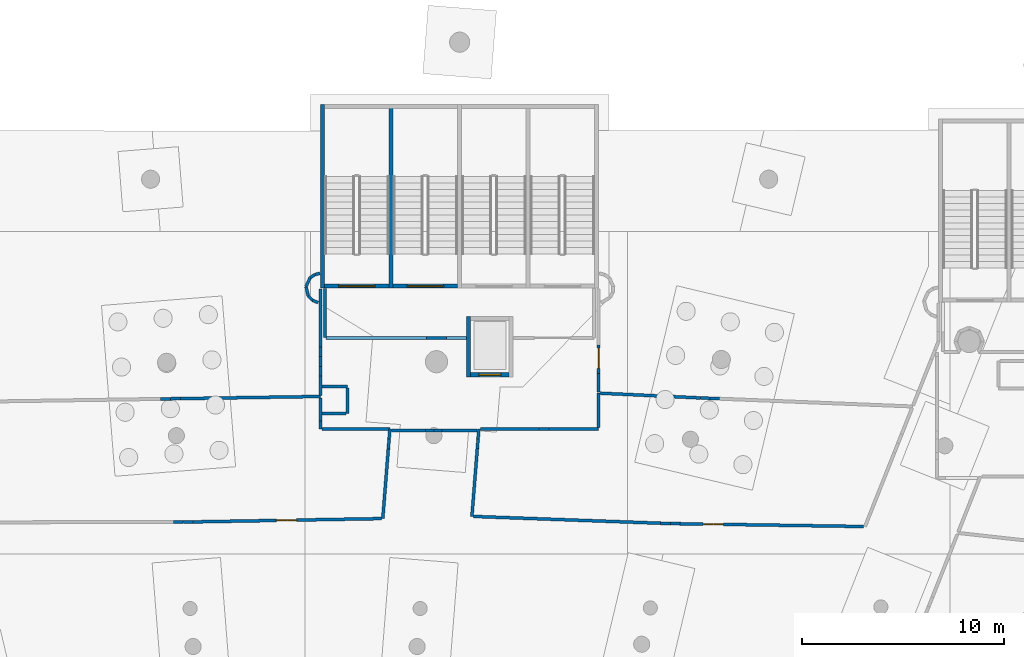
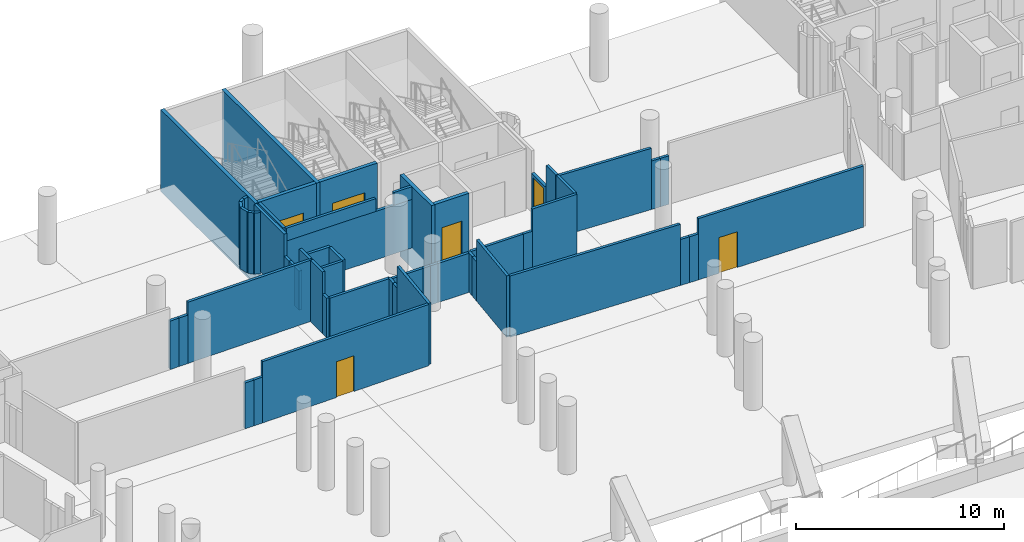
# One storey, part 88 of 142: 56 walls, 6 doors, 6 openings.
"""IFC4 building model written with IfcOpenShell, lengths in metres."""

from ifc_helpers import new_model, si_unit, direction, frame, frame_2d, origin, place, context, subcontext, project, spatial, rectangle, extrude, material, layer, layer_set, type_object, element, fill, save


model = new_model("IFC4")

# Units and contexts
model_context = context("Model", 3, precision=1e-05, world=origin(), true_north=direction((0.0, 1.0)))
body_context = subcontext(model_context, "Body", "Model", "MODEL_VIEW")
ifc_project = project(units=[si_unit("LENGTHUNIT", "METRE"), si_unit("AREAUNIT", "SQUARE_METRE"), si_unit("VOLUMEUNIT", "CUBIC_METRE"), si_unit("PLANEANGLEUNIT", "RADIAN"), si_unit("MASSUNIT", "GRAM", prefix="KILO")], contexts=[model_context])

# Site, building, storey
site_placement = place(None, origin())
site = spatial("IfcSite", under=ifc_project, at=site_placement, CompositionType="ELEMENT")
building_placement = place(site_placement, origin())
building = spatial("IfcBuilding", under=site, at=building_placement, Name="Meseta Stadium", CompositionType="ELEMENT")
storey_placement = place(building_placement, frame((0.0, 0.0, -4.0)))
storey = spatial("IfcBuildingStorey", under=building, at=storey_placement, Name="B1", CompositionType="ELEMENT", Elevation=-4.0)

# Walls
ifc_material_1 = material(Name="Concrete C40/50", Category="concrete")
ifc_layer_1 = layer(ifc_material_1, 0.199951171875)
ifc_layer_set_1 = layer_set([ifc_layer_1], Name="Core divider wall 200")
wall_type_1 = type_object("IfcWallType", Name="Core divider wall 200", PredefinedType="SHEAR", material=ifc_layer_set_1)
wall_1_placement = place(storey_placement, frame((4.2666015625, 102.300048828125, -1.199951171875), z_axis=(0.0, 0.0, 1.0), x_axis=(0.0, -1.0, 0.0)))
element("IfcWall", 1, at=wall_1_placement, inside=storey, type_object=wall_type_1, Name="Core 10 B1 stair B divider wall", PredefinedType="SHEAR", context=body_context, shape_type="SweptSolid", body=[
    extrude(rectangle(XDim=9.10009765625, YDim=0.199951171875, at=frame_2d((4.550048828125, 0.0))), origin(), (0.0, 0.0, 1.0), 4.800048828125),
])
ifc_material_2 = material(Name="Concrete C40/50", Category="concrete")
ifc_layer_2 = layer(ifc_material_2, 0.199951171875)
ifc_layer_set_2 = layer_set([ifc_layer_2], Name="Core shaft wall 200")
wall_type_2 = type_object("IfcWallType", Name="Core shaft wall 200", PredefinedType="SHEAR", material=ifc_layer_set_2)
wall_2_placement = place(storey_placement, frame((0.86669921875, 102.300048828125, -1.199951171875), z_axis=(0.0, 0.0, 1.0), x_axis=(0.0, -1.0, 0.0)))
element("IfcWall", 2, at=wall_2_placement, inside=storey, type_object=wall_type_2, Name="Core 10 B1 stair wall B-side", PredefinedType="SHEAR", context=body_context, shape_type="SweptSolid", body=[
    extrude(rectangle(XDim=9.10009765625, YDim=0.199951171875, at=frame_2d((4.550048828125, 0.0))), origin(), (0.0, 0.0, 1.0), 4.800048828125),
])

# Wall, opening, door
wall_3_placement = place(storey_placement, frame((7.566650390625, 93.300048828125, -1.199951171875), z_axis=(0.0, 0.0, 1.0), x_axis=(-1.0, 0.0, 0.0)))
wall_3 = element("IfcWall", 3, at=wall_3_placement, inside=storey, type_object=wall_type_2, Name="Core 10 B1 stair B1 inner end wall", PredefinedType="SHEAR", context=body_context, shape_type="SweptSolid", body=[
    extrude(rectangle(XDim=3.199951171875, YDim=0.199951171875, at=frame_2d((1.60009765625, 0.0))), origin(), (0.0, 0.0, 1.0), 4.800048828125),
])
opening_1_placement = place(wall_3_placement, frame((0.699951171875, 0.0, 1.199951171875)))
opening_1 = element("IfcOpeningElement", 4, at=opening_1_placement, cuts=wall_3, Name="Opening D141", PredefinedType="OPENING", context=body_context, shape_type="SweptSolid", body=[
    extrude(rectangle(XDim=1.800048828125, YDim=2.10009765625, at=frame_2d((0.89990234375, 1.050048828125))), frame((0.0, 0.10986328125, 0.0), z_axis=(0.0, -1.0, 0.0), x_axis=(1.0, 0.0, 0.0)), (0.0, 0.0, 1.0), 0.219970703125),
])
ifc_material_3 = material(Name="Steel", Category="steel")
door_type_1 = type_object("IfcDoorType", Name="Stair door 1800x2100", OperationType="DOUBLE_DOOR_SINGLE_SWING", PredefinedType="DOOR", material=ifc_material_3)
door_1_placement = place(opening_1_placement, origin())
door_1 = element("IfcDoor", 5, at=door_1_placement, inside=storey, type_object=door_type_1, Name="Stair B1 door 10 B1", OperationType="DOUBLE_DOOR_SINGLE_SWING", OverallHeight=2.10009765625, OverallWidth=1.800048828125, PredefinedType="DOOR", context=body_context, shape_type="SweptSolid", body=[
    extrude(rectangle(XDim=1.800048828125, YDim=2.10009765625, at=frame_2d((0.89990234375, 1.050048828125))), frame((0.0, 0.02490234375, 0.0), z_axis=(0.0, -1.0, 0.0), x_axis=(1.0, 0.0, 0.0)), (0.0, 0.0, 1.0), 0.050048828125),
])
fill(opening_1, door_1)

wall_4_placement = place(storey_placement, frame((4.166748046875, 93.300048828125, -1.199951171875), z_axis=(0.0, 0.0, 1.0), x_axis=(-1.0, 0.0, 0.0)))
wall_4 = element("IfcWall", 6, at=wall_4_placement, inside=storey, type_object=wall_type_2, Name="Core 10 B1 stair B2 inner end wall", PredefinedType="SHEAR", context=body_context, shape_type="SweptSolid", body=[
    extrude(rectangle(XDim=3.199951171875, YDim=0.199951171875, at=frame_2d((1.60009765625, 0.0))), origin(), (0.0, 0.0, 1.0), 4.800048828125),
])
opening_2_placement = place(wall_4_placement, frame((0.699951171875, 0.0, 1.199951171875)))
opening_2 = element("IfcOpeningElement", 7, at=opening_2_placement, cuts=wall_4, Name="Opening D142", PredefinedType="OPENING", context=body_context, shape_type="SweptSolid", body=[
    extrude(rectangle(XDim=1.800048828125, YDim=2.10009765625, at=frame_2d((0.89990234375, 1.050048828125))), frame((0.0, 0.10986328125, 0.0), z_axis=(0.0, -1.0, 0.0), x_axis=(1.0, 0.0, 0.0)), (0.0, 0.0, 1.0), 0.219970703125),
])
door_2_placement = place(opening_2_placement, origin())
door_2 = element("IfcDoor", 8, at=door_2_placement, inside=storey, type_object=door_type_1, Name="Stair B2 door 10 B1", OperationType="DOUBLE_DOOR_SINGLE_SWING", OverallHeight=2.10009765625, OverallWidth=1.800048828125, PredefinedType="DOOR", context=body_context, shape_type="SweptSolid", body=[
    extrude(rectangle(XDim=1.800048828125, YDim=2.10009765625, at=frame_2d((0.89990234375, 1.050048828125))), frame((0.0, 0.02490234375, 0.0), z_axis=(0.0, -1.0, 0.0), x_axis=(1.0, 0.0, 0.0)), (0.0, 0.0, 1.0), 0.050048828125),
])
fill(opening_2, door_2)

# Wall
wall_5_placement = place(storey_placement, frame((8.11669921875, 91.800048828125, -1.199951171875), z_axis=(0.0, 0.0, 1.0), x_axis=(0.0, -1.0, 0.0)))
element("IfcWall", 9, at=wall_5_placement, inside=storey, type_object=wall_type_2, Name="Core 10 B1 lift shaft wall right", PredefinedType="SHEAR", context=body_context, shape_type="SweptSolid", body=[
    extrude(rectangle(XDim=3.0, YDim=0.199951171875, at=frame_2d((1.5, 0.0))), origin(), (0.0, 0.0, 1.0), 4.800048828125),
])

# Wall, opening, door
wall_6_placement = place(storey_placement, frame((10.11669921875, 88.89990234375, -1.199951171875), z_axis=(0.0, 0.0, 1.0), x_axis=(-1.0, 0.0, 0.0)))
wall_6 = element("IfcWall", 10, at=wall_6_placement, inside=storey, type_object=wall_type_2, Name="Core 10 B1 lift shaft front wall", PredefinedType="SHEAR", context=body_context, shape_type="SweptSolid", body=[
    extrude(rectangle(XDim=1.89990234375, YDim=0.199951171875, at=frame_2d((0.949951171875, 0.0))), origin(), (0.0, 0.0, 1.0), 4.800048828125),
])
opening_3_placement = place(wall_6_placement, frame((0.39990234375, 0.0, 1.199951171875)))
opening_3 = element("IfcOpeningElement", 11, at=opening_3_placement, cuts=wall_6, Name="Opening LD51", PredefinedType="OPENING", context=body_context, shape_type="SweptSolid", body=[
    extrude(rectangle(XDim=1.10009765625, YDim=2.10009765625, at=frame_2d((0.550048828125, 1.050048828125))), frame((0.0, 0.10986328125, 0.0), z_axis=(0.0, -1.0, 0.0), x_axis=(1.0, 0.0, 0.0)), (0.0, 0.0, 1.0), 0.219970703125),
])
ifc_material_4 = material(Name="Steel", Category="steel")
door_type_2 = type_object("IfcDoorType", Name="Lift landing door 1100x2100", OperationType="SLIDING_TO_LEFT", PredefinedType="DOOR", material=ifc_material_4)
door_3_placement = place(opening_3_placement, origin())
door_3 = element("IfcDoor", 12, at=door_3_placement, inside=storey, type_object=door_type_2, Name="Lift landing door LD51", OperationType="SLIDING_TO_LEFT", OverallHeight=2.10009765625, OverallWidth=1.10009765625, PredefinedType="DOOR", context=body_context, shape_type="SweptSolid", body=[
    extrude(rectangle(XDim=1.10009765625, YDim=2.10009765625, at=frame_2d((0.550048828125, 1.050048828125))), frame((0.0, 0.02490234375, 0.0), z_axis=(0.0, -1.0, 0.0), x_axis=(1.0, 0.0, 0.0)), (0.0, 0.0, 1.0), 0.050048828125),
])
fill(opening_3, door_3)

# Walls
ifc_material_5 = material(Name="Masonry blockwork", Category="masonry")
ifc_layer_3 = layer(ifc_material_5, 0.14990234375)
ifc_layer_set_3 = layer_set([ifc_layer_3], Name="Partition 150")
wall_type_3 = type_object("IfcWallType", Name="Partition 150", PredefinedType="PARTITIONING", material=ifc_layer_set_3)
wall_7_placement = place(storey_placement, frame((8.276123046875, 81.873291015625, 0.0), z_axis=(0.0, 0.0, 1.0), x_axis=(0.079118582515, 0.996865211501, 0.0)))
element("IfcWall", 13, at=wall_7_placement, inside=storey, type_object=wall_type_3, Name="Partition B1 B1-cell08-1-0", PredefinedType="PARTITIONING", context=body_context, shape_type="SweptSolid", body=[
    extrude(rectangle(XDim=3.375732421875, YDim=0.14990234375, at=frame_2d((1.68798828125, 0.0))), origin(), (0.0, 0.0, 1.0), 3.60009765625),
])
for number, where, z_axis, x_axis, name in (
    (14, (8.543212890625, 85.238525390625, 0.0), (0.0, 0.0, 1.0), (0.079483635771, 0.996836170915, 0.0), "Partition B1 B1-cell08-1-0"),
    (15, (8.58154296875, 85.71923828125, 0.0), (0.0, 0.0, 1.0), (0.078980538678, 0.996876158061, 0.0), "Partition B1 B1-cell08-1-0"),
):
    element("IfcWall", number, at=place(storey_placement, frame(where, z_axis=z_axis, x_axis=x_axis)), inside=storey, type_object=wall_type_3, Name=name, PredefinedType="PARTITIONING", context=body_context, shape_type="SweptSolid", body=[
        extrude(rectangle(XDim=0.482177734375, YDim=0.14990234375, at=frame_2d((0.2412109375, 0.0))), origin(), (0.0, 0.0, 1.0), 2.300048828125),
    ])
wall_8_placement = place(storey_placement, frame((8.69482421875, 86.199951171875, 0.0), z_axis=(0.0, 0.0, 1.0), x_axis=(1.0, 0.0, 0.0)))
element("IfcWall", 16, at=wall_8_placement, inside=storey, type_object=wall_type_3, Name="Partition B1 B1-cell08-1-0", PredefinedType="PARTITIONING", context=body_context, shape_type="SweptSolid", body=[
    extrude(rectangle(XDim=2.898193359375, YDim=0.14990234375, at=frame_2d((1.44921875, 0.0))), origin(), (0.0, 0.0, 1.0), 2.300048828125),
])
wall_9_placement = place(storey_placement, frame((11.593017578125, 86.199951171875, 0.0), z_axis=(0.0, 0.0, 1.0), x_axis=(1.0, 0.0, 0.0)))
element("IfcWall", 17, at=wall_9_placement, inside=storey, type_object=wall_type_3, Name="Partition B1 B1-cell08-1-0", PredefinedType="PARTITIONING", context=body_context, shape_type="SweptSolid", body=[
    extrude(rectangle(XDim=0.49560546875, YDim=0.14990234375, at=frame_2d((0.247802734375, 0.0))), origin(), (0.0, 0.0, 1.0), 2.300048828125),
])
wall_10_placement = place(storey_placement, frame((12.088623046875, 86.199951171875, 0.0), z_axis=(0.0, 0.0, 1.0), x_axis=(1.0, 0.0, 0.0)))
element("IfcWall", 18, at=wall_10_placement, inside=storey, type_object=wall_type_3, Name="Partition B1 B1-cell08-1-0", PredefinedType="PARTITIONING", context=body_context, shape_type="SweptSolid", body=[
    extrude(rectangle(XDim=2.47802734375, YDim=0.14990234375, at=frame_2d((1.239013671875, 0.0))), origin(), (0.0, 0.0, 1.0), 3.60009765625),
])
wall_11_placement = place(storey_placement, frame((14.566650390625, 86.27490234375, 0.0), z_axis=(0.0, 0.0, 1.0), x_axis=(0.0, 1.0, 0.0)))
element("IfcWall", 19, at=wall_11_placement, inside=storey, type_object=wall_type_3, Name="Partition B1 B1-cell08-1-0", PredefinedType="PARTITIONING", context=body_context, shape_type="SweptSolid", body=[
    extrude(rectangle(XDim=1.713623046875, YDim=0.14990234375, at=frame_2d((0.85693359375, 0.0))), origin(), (0.0, 0.0, 1.0), 3.60009765625),
])
wall_12_placement = place(storey_placement, frame((14.6416015625, 87.985107421875, 0.0), z_axis=(0.0, 0.0, 1.0), x_axis=(0.998880990071, -0.047294478265, 0.0)))
element("IfcWall", 20, at=wall_12_placement, inside=storey, type_object=wall_type_3, Name="Partition B1 B1-cell08-1-0", PredefinedType="PARTITIONING", context=body_context, shape_type="SweptSolid", body=[
    extrude(rectangle(XDim=4.97119140625, YDim=0.14990234375, at=frame_2d((2.485595703125, 0.0))), origin(), (0.0, 0.0, 1.0), 3.60009765625),
])
wall_13_placement = place(storey_placement, frame((19.607177734375, 87.75, 0.0), z_axis=(0.0, 0.0, 1.0), x_axis=(0.999190347819, -0.040232435004, 0.0)))
element("IfcWall", 21, at=wall_13_placement, inside=storey, type_object=wall_type_3, Name="Partition B1 B1-cell08-1-0", PredefinedType="PARTITIONING", context=body_context, shape_type="SweptSolid", body=[
    extrude(rectangle(XDim=0.4794921875, YDim=0.14990234375, at=frame_2d((0.23974609375, 0.0))), origin(), (0.0, 0.0, 1.0), 2.85009765625),
])
wall_14_placement = place(storey_placement, frame((20.086181640625, 87.730712890625, 0.0), z_axis=(0.0, 0.0, 1.0), x_axis=(0.999189522857, -0.040252918055, 0.0)))
element("IfcWall", 22, at=wall_14_placement, inside=storey, type_object=wall_type_3, Name="Partition B1 B1-cell08-1-0", PredefinedType="PARTITIONING", context=body_context, shape_type="SweptSolid", body=[
    extrude(rectangle(XDim=0.479248046875, YDim=0.14990234375, at=frame_2d((0.23974609375, 0.0))), origin(), (0.0, 0.0, 1.0), 2.85009765625),
])

# Wall, opening, door
wall_15_placement = place(storey_placement, frame((27.69921875, 81.369873046875, 0.0), z_axis=(0.0, 0.0, 1.0), x_axis=(-0.999884976641, 0.015166854913, 0.0)))
wall_15 = element("IfcWall", 23, at=wall_15_placement, inside=storey, type_object=wall_type_3, Name="Partition B1 B1-cell08-1-0", PredefinedType="PARTITIONING", context=body_context, shape_type="SweptSolid", body=[
    extrude(rectangle(XDim=9.0947265625, YDim=0.14990234375, at=frame_2d((4.54736328125, 0.0))), origin(), (0.0, 0.0, 1.0), 3.60009765625),
])
opening_4_placement = place(wall_15_placement, frame((6.949951171875, 0.0, 0.0)))
opening_4 = element("IfcOpeningElement", 24, at=opening_4_placement, cuts=wall_15, Name="Opening D457", PredefinedType="OPENING", context=body_context, shape_type="SweptSolid", body=[
    extrude(rectangle(XDim=1.0, YDim=2.10009765625, at=frame_2d((0.5, 1.050048828125))), frame((0.0, 0.0849609375, 0.0), z_axis=(0.0, -1.0, 0.0), x_axis=(1.0, 0.0, 0.0)), (0.0, 0.0, 1.0), 0.169921875),
])
ifc_material_6 = material(Name="Steel", Category="steel")
door_type_3 = type_object("IfcDoorType", Name="Fire door 1000x2100 EI2 120", OperationType="NOTDEFINED", PredefinedType="DOOR", material=ifc_material_6)
door_4_placement = place(opening_4_placement, origin())
door_4 = element("IfcDoor", 25, at=door_4_placement, inside=storey, type_object=door_type_3, Name="Door D457", OperationType="SINGLE_SWING_RIGHT", OverallHeight=2.10009765625, OverallWidth=1.0, PredefinedType="DOOR", context=body_context, shape_type="SweptSolid", body=[
    extrude(rectangle(XDim=1.0, YDim=2.10009765625, at=frame_2d((0.5, 1.050048828125))), frame((0.0, 0.02490234375, 0.0), z_axis=(0.0, -1.0, 0.0), x_axis=(1.0, 0.0, 0.0)), (0.0, 0.0, 1.0), 0.050048828125),
])
fill(opening_4, door_4)

# Walls
wall_16_placement = place(storey_placement, frame((18.60546875, 81.5078125, 0.0), z_axis=(0.0, 0.0, 1.0), x_axis=(-0.999884887051, 0.015172760046, 0.0)))
element("IfcWall", 26, at=wall_16_placement, inside=storey, type_object=wall_type_3, Name="Partition B1 B1-cell08-1-0", PredefinedType="PARTITIONING", context=body_context, shape_type="SweptSolid", body=[
    extrude(rectangle(XDim=0.482666015625, YDim=0.14990234375, at=frame_2d((0.2412109375, 0.0))), origin(), (0.0, 0.0, 1.0), 2.699951171875),
])
wall_17_placement = place(storey_placement, frame((18.122802734375, 81.51513671875, 0.0), z_axis=(0.0, 0.0, 1.0), x_axis=(-0.999327668451, 0.036663484118, 0.0)))
element("IfcWall", 27, at=wall_17_placement, inside=storey, type_object=wall_type_3, Name="Partition B1 B1-cell08-1-0", PredefinedType="PARTITIONING", context=body_context, shape_type="SweptSolid", body=[
    extrude(rectangle(XDim=0.49267578125, YDim=0.14990234375, at=frame_2d((0.246337890625, 0.0))), origin(), (0.0, 0.0, 1.0), 2.699951171875),
])
wall_18_placement = place(storey_placement, frame((17.63037109375, 81.533203125, 0.0), z_axis=(0.0, 0.0, 1.0), x_axis=(-0.999339567389, 0.036337708373, 0.0)))
element("IfcWall", 28, at=wall_18_placement, inside=storey, type_object=wall_type_3, Name="Partition B1 B1-cell08-1-0", PredefinedType="PARTITIONING", context=body_context, shape_type="SweptSolid", body=[
    extrude(rectangle(XDim=9.28515625, YDim=0.14990234375, at=frame_2d((4.642578125, 0.0))), origin(), (0.0, 0.0, 1.0), 3.60009765625),
])
wall_19_placement = place(storey_placement, frame((14.566650390625, 88.03857421875, 0.0), z_axis=(0.0, 0.0, 1.0), x_axis=(0.0, 1.0, 0.0)))
element("IfcWall", 29, at=wall_19_placement, inside=storey, type_object=wall_type_3, Name="Partition B1 B1-cell08-2-0", PredefinedType="PARTITIONING", context=body_context, shape_type="SweptSolid", body=[
    extrude(rectangle(XDim=0.93115234375, YDim=0.14990234375, at=frame_2d((0.465576171875, 0.0))), origin(), (0.0, 0.0, 1.0), 3.60009765625),
])

# Wall, opening, door
wall_20_placement = place(storey_placement, frame((14.566650390625, 88.9697265625, 0.0), z_axis=(0.0, 0.0, 1.0), x_axis=(0.0, 1.0, 0.0)))
wall_20 = element("IfcWall", 30, at=wall_20_placement, inside=storey, type_object=wall_type_3, Name="Partition B1 B1-cell08-2-0", PredefinedType="PARTITIONING", context=body_context, shape_type="SweptSolid", body=[
    extrude(rectangle(XDim=1.396728515625, YDim=0.14990234375, at=frame_2d((0.6982421875, 0.0))), origin(), (0.0, 0.0, 1.0), 2.300048828125),
])
opening_5_placement = place(wall_20_placement, frame((0.25, 0.0, 0.0)))
opening_5 = element("IfcOpeningElement", 31, at=opening_5_placement, cuts=wall_20, Name="Opening D458", PredefinedType="OPENING", context=body_context, shape_type="SweptSolid", body=[
    extrude(rectangle(XDim=1.0, YDim=2.10009765625, at=frame_2d((0.5, 1.050048828125))), frame((0.0, 0.0849609375, 0.0), z_axis=(0.0, -1.0, 0.0), x_axis=(1.0, 0.0, 0.0)), (0.0, 0.0, 1.0), 0.169921875),
])
ifc_material_7 = material(Name="Steel", Category="steel")
door_type_4 = type_object("IfcDoorType", Name="Fire door 1000x2100 EI2 60", OperationType="NOTDEFINED", PredefinedType="DOOR", material=ifc_material_7)
door_5_placement = place(opening_5_placement, origin())
door_5 = element("IfcDoor", 32, at=door_5_placement, inside=storey, type_object=door_type_4, Name="Door D458", OperationType="SINGLE_SWING_LEFT", OverallHeight=2.10009765625, OverallWidth=1.0, PredefinedType="DOOR", context=body_context, shape_type="SweptSolid", body=[
    extrude(rectangle(XDim=1.0, YDim=2.10009765625, at=frame_2d((0.5, 1.050048828125))), frame((0.0, 0.02490234375, 0.0), z_axis=(0.0, -1.0, 0.0), x_axis=(1.0, 0.0, 0.0)), (0.0, 0.0, 1.0), 0.050048828125),
])
fill(opening_5, door_5)

# Walls
for number, where, z_axis, x_axis, name in (
    (33, (-7.170654296875, 87.700927734375, 0.0), (0.0, 0.0, 1.0), (0.999883648983, 0.015254130472, 0.0), "Partition B1 B1-cell09-1-0"),
    (34, (-6.674560546875, 87.70849609375, 0.0), (0.0, 0.0, 1.0), (0.999876022811, 0.015746079099, 0.0), "Partition B1 B1-cell09-1-0"),
):
    element("IfcWall", number, at=place(storey_placement, frame(where, z_axis=z_axis, x_axis=x_axis)), inside=storey, type_object=wall_type_3, Name=name, PredefinedType="PARTITIONING", context=body_context, shape_type="SweptSolid", body=[
        extrude(rectangle(XDim=0.49609375, YDim=0.14990234375, at=frame_2d((0.248046875, 0.0))), origin(), (0.0, 0.0, 1.0), 2.85009765625),
    ])
wall_21_placement = place(storey_placement, frame((-6.178466796875, 87.71630859375, 0.0), z_axis=(0.0, 0.0, 1.0), x_axis=(0.999883104063, 0.01528980737, 0.0)))
element("IfcWall", 35, at=wall_21_placement, inside=storey, type_object=wall_type_3, Name="Partition B1 B1-cell09-1-0", PredefinedType="PARTITIONING", context=body_context, shape_type="SweptSolid", body=[
    extrude(rectangle(XDim=6.94580078125, YDim=0.14990234375, at=frame_2d((3.472900390625, 0.0))), origin(), (0.0, 0.0, 1.0), 3.60009765625),
])
wall_22_placement = place(storey_placement, frame((0.7666015625, 87.74755859375, 0.0), z_axis=(0.0, 0.0, 1.0), x_axis=(0.0, -1.0, 0.0)))
element("IfcWall", 36, at=wall_22_placement, inside=storey, type_object=wall_type_3, Name="Partition B1 B1-cell09-1-0", PredefinedType="PARTITIONING", context=body_context, shape_type="SweptSolid", body=[
    extrude(rectangle(XDim=1.141845703125, YDim=0.14990234375, at=frame_2d((0.57080078125, 0.0))), origin(), (0.0, 0.0, 1.0), 3.60009765625),
])
wall_23_placement = place(storey_placement, frame((0.7666015625, 86.605712890625, 0.0), z_axis=(0.0, 0.0, 1.0), x_axis=(0.0, -1.0, 0.0)))
element("IfcWall", 37, at=wall_23_placement, inside=storey, type_object=wall_type_3, Name="Partition B1 B1-cell09-1-0", PredefinedType="PARTITIONING", context=body_context, shape_type="SweptSolid", body=[
    extrude(rectangle(XDim=0.40576171875, YDim=0.14990234375, at=frame_2d((0.202880859375, 0.0))), origin(), (0.0, 0.0, 1.0), 2.300048828125),
])
wall_24_placement = place(storey_placement, frame((0.841796875, 86.199951171875, 0.0), z_axis=(0.0, 0.0, 1.0), x_axis=(1.0, 0.0, 0.0)))
element("IfcWall", 38, at=wall_24_placement, inside=storey, type_object=wall_type_3, Name="Partition B1 B1-cell09-1-0", PredefinedType="PARTITIONING", context=body_context, shape_type="SweptSolid", body=[
    extrude(rectangle(XDim=3.364013671875, YDim=0.14990234375, at=frame_2d((1.68212890625, 0.0))), origin(), (0.0, 0.0, 1.0), 2.300048828125),
])
wall_25_placement = place(storey_placement, frame((4.205810546875, 86.199951171875, 0.0), z_axis=(0.0, 0.0, 1.0), x_axis=(-0.078999477554, -0.99687465739, 0.0)))
element("IfcWall", 39, at=wall_25_placement, inside=storey, type_object=wall_type_3, Name="Partition B1 B1-cell09-1-0", PredefinedType="PARTITIONING", context=body_context, shape_type="SweptSolid", body=[
    extrude(rectangle(XDim=0.494384765625, YDim=0.14990234375, at=frame_2d((0.2470703125, 0.0))), origin(), (0.0, 0.0, 1.0), 2.300048828125),
])
wall_26_placement = place(storey_placement, frame((4.166748046875, 85.70703125, 0.0), z_axis=(0.0, 0.0, 1.0), x_axis=(-0.079529255553, -0.99683253233, 0.0)))
element("IfcWall", 40, at=wall_26_placement, inside=storey, type_object=wall_type_3, Name="Partition B1 B1-cell09-1-0", PredefinedType="PARTITIONING", context=body_context, shape_type="SweptSolid", body=[
    extrude(rectangle(XDim=0.494140625, YDim=0.14990234375, at=frame_2d((0.2470703125, 0.0))), origin(), (0.0, 0.0, 1.0), 2.300048828125),
])
wall_27_placement = place(storey_placement, frame((4.12744140625, 85.21435546875, 0.0), z_axis=(0.0, 0.0, 1.0), x_axis=(-0.079080692969, -0.99686821797, 0.0)))
element("IfcWall", 41, at=wall_27_placement, inside=storey, type_object=wall_type_3, Name="Partition B1 B1-cell09-1-0", PredefinedType="PARTITIONING", context=body_context, shape_type="SweptSolid", body=[
    extrude(rectangle(XDim=3.460693359375, YDim=0.14990234375, at=frame_2d((1.73046875, 0.0))), origin(), (0.0, 0.0, 1.0), 3.60009765625),
])

# Wall, opening, door
wall_28_placement = place(storey_placement, frame((3.7783203125, 81.762939453125, 0.0), z_axis=(0.0, 0.0, 1.0), x_axis=(-0.999845432781, -0.017581539953, 0.0)))
wall_28 = element("IfcWall", 42, at=wall_28_placement, inside=storey, type_object=wall_type_3, Name="Partition B1 B1-cell09-1-0", PredefinedType="PARTITIONING", context=body_context, shape_type="SweptSolid", body=[
    extrude(rectangle(XDim=9.33154296875, YDim=0.14990234375, at=frame_2d((4.665771484375, 0.0))), origin(), (0.0, 0.0, 1.0), 3.60009765625),
])
opening_6_placement = place(wall_28_placement, frame((4.199951171875, 0.0, 0.0)))
opening_6 = element("IfcOpeningElement", 43, at=opening_6_placement, cuts=wall_28, Name="Opening D459", PredefinedType="OPENING", context=body_context, shape_type="SweptSolid", body=[
    extrude(rectangle(XDim=1.0, YDim=2.10009765625, at=frame_2d((0.5, 1.050048828125))), frame((0.0, 0.0849609375, 0.0), z_axis=(0.0, -1.0, 0.0), x_axis=(1.0, 0.0, 0.0)), (0.0, 0.0, 1.0), 0.169921875),
])
door_6_placement = place(opening_6_placement, origin())
door_6 = element("IfcDoor", 44, at=door_6_placement, inside=storey, type_object=door_type_4, Name="Door D459", OperationType="SINGLE_SWING_LEFT", OverallHeight=2.10009765625, OverallWidth=1.0, PredefinedType="DOOR", context=body_context, shape_type="SweptSolid", body=[
    extrude(rectangle(XDim=1.0, YDim=2.10009765625, at=frame_2d((0.5, 1.050048828125))), frame((0.0, 0.02490234375, 0.0), z_axis=(0.0, -1.0, 0.0), x_axis=(1.0, 0.0, 0.0)), (0.0, 0.0, 1.0), 0.050048828125),
])
fill(opening_6, door_6)

# Walls
wall_29_placement = place(storey_placement, frame((-5.5517578125, 81.598876953125, 0.0), z_axis=(0.0, 0.0, 1.0), x_axis=(-0.999842479718, -0.017748683072, 0.0)))
element("IfcWall", 45, at=wall_29_placement, inside=storey, type_object=wall_type_3, Name="Partition B1 B1-cell09-1-0", PredefinedType="PARTITIONING", context=body_context, shape_type="SweptSolid", body=[
    extrude(rectangle(XDim=0.4951171875, YDim=0.14990234375, at=frame_2d((0.24755859375, 0.0))), origin(), (0.0, 0.0, 1.0), 2.699951171875),
])
wall_30_placement = place(storey_placement, frame((-6.046875, 81.590087890625, 0.0), z_axis=(0.0, 0.0, 1.0), x_axis=(-0.999999506438, -0.000993541487, 0.0)))
element("IfcWall", 46, at=wall_30_placement, inside=storey, type_object=wall_type_3, Name="Partition B1 B1-cell09-1-0", PredefinedType="PARTITIONING", context=body_context, shape_type="SweptSolid", body=[
    extrude(rectangle(XDim=0.491455078125, YDim=0.14990234375, at=frame_2d((0.24560546875, 0.0))), origin(), (0.0, 0.0, 1.0), 2.699951171875),
])
wall_31_placement = place(storey_placement, frame((0.7666015625, 93.159912109375, 0.0), z_axis=(0.0, 0.0, 1.0), x_axis=(0.0, -1.0, 0.0)))
element("IfcWall", 47, at=wall_31_placement, inside=storey, type_object=wall_type_3, Name="Partition B1 B1-cell09-2-0", PredefinedType="PARTITIONING", context=body_context, shape_type="SweptSolid", body=[
    extrude(rectangle(XDim=2.884033203125, YDim=0.14990234375, at=frame_2d((1.44189453125, 0.0))), origin(), (0.0, 0.0, 1.0), 3.60009765625),
])
wall_32_placement = place(storey_placement, frame((0.7666015625, 90.27587890625, 0.0), z_axis=(0.0, 0.0, 1.0), x_axis=(0.0, -1.0, 0.0)))
element("IfcWall", 48, at=wall_32_placement, inside=storey, type_object=wall_type_3, Name="Partition B1 B1-cell09-2-0", PredefinedType="PARTITIONING", context=body_context, shape_type="SweptSolid", body=[
    extrude(rectangle(XDim=0.48046875, YDim=0.14990234375, at=frame_2d((0.240234375, 0.0))), origin(), (0.0, 0.0, 1.0), 2.300048828125),
])
for number, where, z_axis, x_axis, name in (
    (49, (0.7666015625, 89.79541015625, 0.0), (0.0, 0.0, 1.0), (0.0, -1.0, 0.0), "Partition B1 B1-cell09-2-0"),
    (50, (0.7666015625, 89.314697265625, 0.0), (0.0, 0.0, 1.0), (0.0, -1.0, 0.0), "Partition B1 B1-cell09-2-0"),
):
    element("IfcWall", number, at=place(storey_placement, frame(where, z_axis=z_axis, x_axis=x_axis)), inside=storey, type_object=wall_type_3, Name=name, PredefinedType="PARTITIONING", context=body_context, shape_type="SweptSolid", body=[
        extrude(rectangle(XDim=0.480712890625, YDim=0.14990234375, at=frame_2d((0.240234375, 0.0))), origin(), (0.0, 0.0, 1.0), 2.300048828125),
    ])
wall_33_placement = place(storey_placement, frame((0.7666015625, 88.833984375, 0.0), z_axis=(0.0, 0.0, 1.0), x_axis=(0.0, -1.0, 0.0)))
element("IfcWall", 51, at=wall_33_placement, inside=storey, type_object=wall_type_3, Name="Partition B1 B1-cell09-2-0", PredefinedType="PARTITIONING", context=body_context, shape_type="SweptSolid", body=[
    extrude(rectangle(XDim=0.96142578125, YDim=0.14990234375, at=frame_2d((0.480712890625, 0.0))), origin(), (0.0, 0.0, 1.0), 3.60009765625),
])
wall_34_placement = place(storey_placement, frame((2.091796875, 88.324951171875, 0.0), z_axis=(0.0, 0.0, 1.0), x_axis=(-1.0, 0.0, 0.0)))
element("IfcWall", 52, at=wall_34_placement, inside=storey, type_object=wall_type_3, Name="Pressurisation shaft wall B1 core 10", PredefinedType="PARTITIONING", context=body_context, shape_type="SweptSolid", body=[
    extrude(rectangle(XDim=1.2490234375, YDim=0.14990234375, at=frame_2d((0.62451171875, 0.0))), origin(), (0.0, 0.0, 1.0), 3.60009765625),
])
wall_35_placement = place(storey_placement, frame((0.8427734375, 86.97509765625, 0.0), z_axis=(0.0, 0.0, 1.0), x_axis=(1.0, 0.0, 0.0)))
element("IfcWall", 53, at=wall_35_placement, inside=storey, type_object=wall_type_3, Name="Pressurisation shaft wall B1 core 10", PredefinedType="PARTITIONING", context=body_context, shape_type="SweptSolid", body=[
    extrude(rectangle(XDim=1.173828125, YDim=0.14990234375, at=frame_2d((0.5869140625, 0.0))), origin(), (0.0, 0.0, 1.0), 3.60009765625),
])
wall_36_placement = place(storey_placement, frame((2.091796875, 86.97509765625, 0.0), z_axis=(0.0, 0.0, 1.0), x_axis=(0.0, 1.0, 0.0)))
element("IfcWall", 54, at=wall_36_placement, inside=storey, type_object=wall_type_3, Name="Pressurisation shaft wall B1 core 10", PredefinedType="PARTITIONING", context=body_context, shape_type="SweptSolid", body=[
    extrude(rectangle(XDim=1.27490234375, YDim=0.14990234375, at=frame_2d((0.637451171875, 0.0))), origin(), (0.0, 0.0, 1.0), 3.60009765625),
])
wall_37_placement = place(storey_placement, frame((1.026611328125, 90.72509765625, 0.0), z_axis=(0.0, 0.0, 1.0), x_axis=(1.0, 0.0, 0.0)))
element("IfcWall", 55, at=wall_37_placement, inside=storey, type_object=wall_type_3, Name="Stair vestibule wall B1 core 10", PredefinedType="PARTITIONING", context=body_context, shape_type="SweptSolid", body=[
    extrude(rectangle(XDim=6.97998046875, YDim=0.14990234375, at=frame_2d((3.489990234375, 0.0))), origin(), (0.0, 0.0, 1.0), 2.85009765625),
])
wall_38_placement = place(storey_placement, frame((1.026611328125, 90.72509765625, 2.85009765625), z_axis=(0.0, 0.0, 1.0), x_axis=(1.0, 0.0, 0.0)))
element("IfcWall", 56, at=wall_38_placement, inside=storey, type_object=wall_type_3, Name="Stair vestibule wall B1 core 10", PredefinedType="PARTITIONING", context=body_context, shape_type="SweptSolid", body=[
    extrude(rectangle(XDim=4.98583984375, YDim=0.14990234375, at=frame_2d((2.492919921875, 0.0))), origin(), (0.0, 0.0, 1.0), 0.75),
])
wall_39_placement = place(storey_placement, frame((7.009521484375, 90.72509765625, 2.85009765625), z_axis=(0.0, 0.0, 1.0), x_axis=(1.0, 0.0, 0.0)))
element("IfcWall", 57, at=wall_39_placement, inside=storey, type_object=wall_type_3, Name="Stair vestibule wall B1 core 10", PredefinedType="PARTITIONING", context=body_context, shape_type="SweptSolid", body=[
    extrude(rectangle(XDim=0.9970703125, YDim=0.14990234375, at=frame_2d((0.49853515625, 0.0))), origin(), (0.0, 0.0, 1.0), 0.75),
])
wall_40_placement = place(storey_placement, frame((0.99169921875, 93.18994140625, 0.0), z_axis=(0.0, 0.0, 1.0), x_axis=(0.0, -1.0, 0.0)))
element("IfcWall", 58, at=wall_40_placement, inside=storey, type_object=wall_type_3, Name="Stair vestibule wall B1 core 10", PredefinedType="PARTITIONING", context=body_context, shape_type="SweptSolid", body=[
    extrude(rectangle(XDim=2.429931640625, YDim=0.14990234375, at=frame_2d((1.21484375, 0.0))), origin(), (0.0, 0.0, 1.0), 3.60009765625),
])
wall_41_placement = place(storey_placement, frame((4.290283203125, 86.125, 0.0), z_axis=(0.0, 0.0, 1.0), x_axis=(1.0, 0.0, 0.0)))
element("IfcWall", 59, at=wall_41_placement, inside=storey, type_object=wall_type_3, Name="Stair vestibule wall B1 core 10", PredefinedType="PARTITIONING", context=body_context, shape_type="SweptSolid", body=[
    extrude(rectangle(XDim=1.680419921875, YDim=0.14990234375, at=frame_2d((0.84033203125, 0.0))), origin(), (0.0, 0.0, 1.0), 2.300048828125),
])
wall_42_placement = place(storey_placement, frame((6.80322265625, 86.125, 0.0), z_axis=(0.0, 0.0, 1.0), x_axis=(1.0, 0.0, 0.0)))
element("IfcWall", 60, at=wall_42_placement, inside=storey, type_object=wall_type_3, Name="Stair vestibule wall B1 core 10", PredefinedType="PARTITIONING", context=body_context, shape_type="SweptSolid", body=[
    extrude(rectangle(XDim=1.73095703125, YDim=0.14990234375, at=frame_2d((0.865478515625, 0.0))), origin(), (0.0, 0.0, 1.0), 2.300048828125),
])
wall_43_placement = place(storey_placement, frame((0.73828125, 93.9296875, 0.0), z_axis=(0.0, 0.0, 1.0), x_axis=(-0.973130593004, -0.230253879357, 0.0)))
element("IfcWall", 61, at=wall_43_placement, inside=storey, type_object=wall_type_3, Name="Stair vestibule wall B1 core 10", PredefinedType="PARTITIONING", context=body_context, shape_type="SweptSolid", body=[
    extrude(rectangle(XDim=0.257568359375, YDim=0.14990234375, at=frame_2d((0.12890625, 0.0))), origin(), (0.0, 0.0, 1.0), 3.60009765625),
])
wall_44_placement = place(storey_placement, frame((0.487548828125, 93.870361328125, 0.0), z_axis=(0.0, 0.0, 1.0), x_axis=(-0.831397130511, -0.555678694372, 0.0)))
element("IfcWall", 62, at=wall_44_placement, inside=storey, type_object=wall_type_3, Name="Stair vestibule wall B1 core 10", PredefinedType="PARTITIONING", context=body_context, shape_type="SweptSolid", body=[
    extrude(rectangle(XDim=0.287841796875, YDim=0.14990234375, at=frame_2d((0.14404296875, 0.0))), origin(), (0.0, 0.0, 1.0), 3.60009765625),
])
for number, where, z_axis, x_axis, name in (
    (63, (0.248291015625, 93.71044921875, 0.0), (0.0, 0.0, 1.0), (-0.427805398413, -0.903870865273, 0.0), "Stair vestibule wall B1 core 10"),
    (64, (0.04052734375, 93.271484375, 0.0), (0.0, 0.0, 1.0), (0.242890582249, -0.970053691841, 0.0), "Stair vestibule wall B1 core 10"),
):
    element("IfcWall", number, at=place(storey_placement, frame(where, z_axis=z_axis, x_axis=x_axis)), inside=storey, type_object=wall_type_3, Name=name, PredefinedType="PARTITIONING", context=body_context, shape_type="SweptSolid", body=[
        extrude(rectangle(XDim=0.485595703125, YDim=0.14990234375, at=frame_2d((0.24267578125, 0.0))), origin(), (0.0, 0.0, 1.0), 3.60009765625),
    ])
wall_45_placement = place(storey_placement, frame((0.158447265625, 92.800537109375, 0.0), z_axis=(0.0, 0.0, 1.0), x_axis=(0.707106781187, -0.707106781187, 0.0)))
element("IfcWall", 65, at=wall_45_placement, inside=storey, type_object=wall_type_3, Name="Stair vestibule wall B1 core 10", PredefinedType="PARTITIONING", context=body_context, shape_type="SweptSolid", body=[
    extrude(rectangle(XDim=0.289306640625, YDim=0.14990234375, at=frame_2d((0.14453125, 0.0))), origin(), (0.0, 0.0, 1.0), 3.60009765625),
])
wall_46_placement = place(storey_placement, frame((0.363037109375, 92.595947265625, 0.0), z_axis=(0.0, 0.0, 1.0), x_axis=(0.923823997436, -0.38281747839, 0.0)))
element("IfcWall", 66, at=wall_46_placement, inside=storey, type_object=wall_type_3, Name="Stair vestibule wall B1 core 10", PredefinedType="PARTITIONING", context=body_context, shape_type="SweptSolid", body=[
    extrude(rectangle(XDim=0.30859375, YDim=0.14990234375, at=frame_2d((0.154296875, 0.0))), origin(), (0.0, 0.0, 1.0), 3.60009765625),
])
wall_47_placement = place(storey_placement, frame((5.970703125, 86.125, 0.0), z_axis=(0.0, 0.0, 1.0), x_axis=(1.0, 0.0, 0.0)))
element("IfcWall", 67, at=wall_47_placement, inside=storey, type_object=wall_type_3, Name="Stair vestibule wall B1 core 10", PredefinedType="PARTITIONING", context=body_context, shape_type="SweptSolid", body=[
    extrude(rectangle(XDim=0.41650390625, YDim=0.14990234375, at=frame_2d((0.208251953125, 0.0))), origin(), (0.0, 0.0, 1.0), 2.300048828125),
])
wall_48_placement = place(storey_placement, frame((6.38720703125, 86.125, 0.0), z_axis=(0.0, 0.0, 1.0), x_axis=(1.0, 0.0, 0.0)))
element("IfcWall", 68, at=wall_48_placement, inside=storey, type_object=wall_type_3, Name="Stair vestibule wall B1 core 10", PredefinedType="PARTITIONING", context=body_context, shape_type="SweptSolid", body=[
    extrude(rectangle(XDim=0.416015625, YDim=0.14990234375, at=frame_2d((0.2080078125, 0.0))), origin(), (0.0, 0.0, 1.0), 2.300048828125),
])

save(model, "model.ifc")
